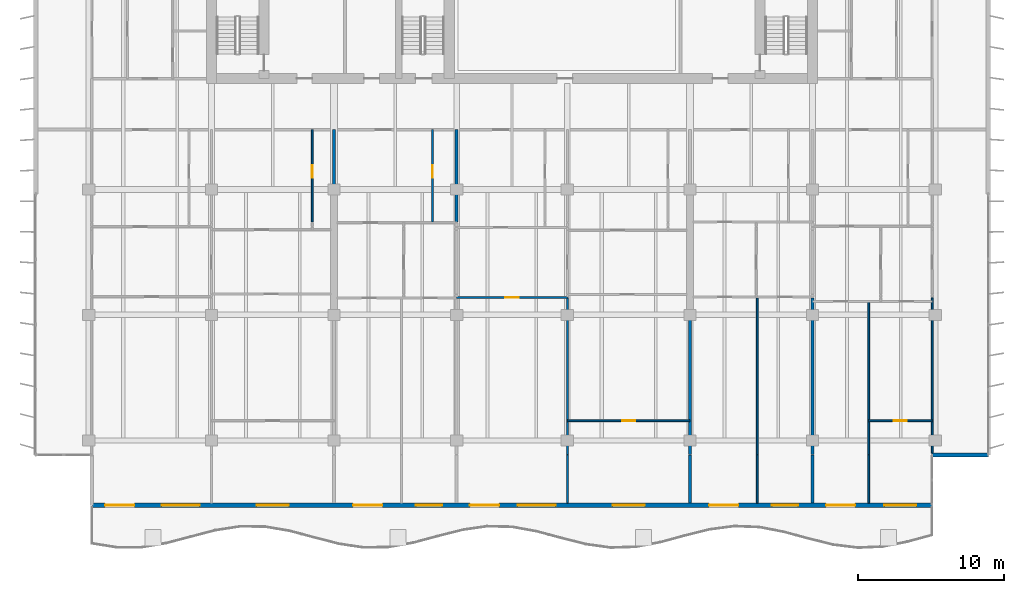
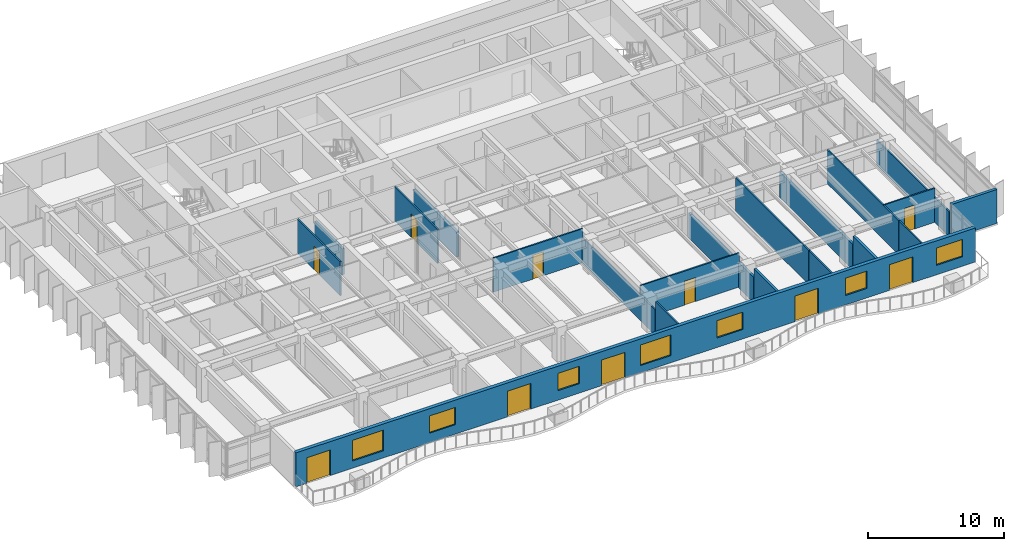
# One storey, part 9 of 19: 20 walls, 10 doors, 7 windows, 17 openings.
"""IFC4 building model written with IfcOpenShell, lengths in metres."""

from ifc_helpers import new_model, si_unit, direction, frame, frame_2d, origin, place, context, subcontext, project, spatial, rectangle, extrude, material, layer, layer_set, type_object, element, fill, save


model = new_model("IFC4")

# Units and contexts
model_context = context("Model", 3, precision=1e-05, world=origin(), true_north=direction((0.0, 1.0)))
body_context = subcontext(model_context, "Body", "Model", "MODEL_VIEW")
ifc_project = project(units=[si_unit("LENGTHUNIT", "METRE"), si_unit("AREAUNIT", "SQUARE_METRE"), si_unit("VOLUMEUNIT", "CUBIC_METRE"), si_unit("PLANEANGLEUNIT", "RADIAN"), si_unit("MASSUNIT", "GRAM", prefix="KILO")], contexts=[model_context])

# Site, building, storey
site_placement = place(None, origin())
site = spatial("IfcSite", under=ifc_project, at=site_placement, CompositionType="ELEMENT")
building_placement = place(site_placement, origin())
building = spatial("IfcBuilding", under=site, at=building_placement, Name="Caelmar Bay Residences", CompositionType="ELEMENT")
storey_placement = place(building_placement, frame((0.0, 0.0, 195.0)))
storey = spatial("IfcBuildingStorey", under=building, at=storey_placement, Name="L54", CompositionType="ELEMENT", Elevation=195.0)

# Wall
ifc_material_1 = material(Name="Precast concrete f'c 40 MPa (6,000 psi)", Category="concrete")
ifc_layer_1 = layer(ifc_material_1, 0.25)
ifc_layer_set_1 = layer_set([ifc_layer_1], Name="Precast concrete f'c 40 MPa (6,000 psi)")
wall_type_1 = type_object("IfcWallType", Name="W-EXT-250", PredefinedType="ELEMENTEDWALL", material=ifc_layer_set_1)
wall_1_placement = place(storey_placement, frame((67.699951171875, 11.199951171875, 0.0), z_axis=(0.0, 0.0, 1.0), x_axis=(1.0, 0.0, 0.0)))
element("IfcWall", 1, at=wall_1_placement, inside=storey, type_object=wall_type_1, Name="L54 SE Notch Return Wall", PredefinedType="ELEMENTEDWALL", context=body_context, shape_type="SweptSolid", body=[
    extrude(rectangle(XDim=3.85009765625, YDim=0.25, at=frame_2d((1.925048828125, 0.0))), origin(), (0.0, 0.0, 1.0), 3.050048828125),
])

# Wall, openings, doors, windows
ifc_layer_2 = layer(ifc_material_1, 0.300048828125)
ifc_layer_set_2 = layer_set([ifc_layer_2], Name="Precast concrete f'c 40 MPa (6,000 psi)")
wall_type_2 = type_object("IfcWallType", Name="W-EXT-300", PredefinedType="STANDARD", material=ifc_layer_set_2)
wall_2_placement = place(storey_placement, frame((67.699951171875, 7.75, 0.0), z_axis=(0.0, 0.0, 1.0), x_axis=(-1.0, 0.0, 0.0)))
wall_2 = element("IfcWall", 2, at=wall_2_placement, inside=storey, type_object=wall_type_2, Name="L54 South Bayfront Exterior Wall", PredefinedType="STANDARD", context=body_context, shape_type="SweptSolid", body=[
    extrude(rectangle(XDim=57.599853515625, YDim=0.300048828125, at=frame_2d((28.7998046875, 0.0))), origin(), (0.0, 0.0, 1.0), 3.050048828125),
])
opening_1_placement = place(wall_2_placement, frame((54.68994140625, 0.0, 0.0)))
opening_1 = element("IfcOpeningElement", 3, at=opening_1_placement, cuts=wall_2, Name="Opening L54-BD01", PredefinedType="OPENING", context=body_context, shape_type="SweptSolid", body=[
    extrude(rectangle(XDim=2.0, YDim=2.300048828125, at=frame_2d((1.0, 1.14990234375))), frame((0.0, 0.159912109375, 0.0), z_axis=(0.0, -1.0, 0.0), x_axis=(1.0, 0.0, 0.0)), (0.0, 0.0, 1.0), 0.320068359375),
])
opening_2_placement = place(wall_2_placement, frame((50.2099609375, 0.0, 0.64990234375)))
opening_2 = element("IfcOpeningElement", 4, at=opening_2_placement, cuts=wall_2, Name="Opening WN3", PredefinedType="OPENING", context=body_context, shape_type="SweptSolid", body=[
    extrude(rectangle(XDim=2.60009765625, YDim=1.85009765625, at=frame_2d((1.300048828125, 0.925048828125))), frame((0.0, 0.159912109375, 0.0), z_axis=(0.0, -1.0, 0.0), x_axis=(1.0, 0.0, 0.0)), (0.0, 0.0, 1.0), 0.320068359375),
])
opening_3_placement = place(wall_2_placement, frame((44.10009765625, 0.0, 0.85009765625)))
opening_3 = element("IfcOpeningElement", 5, at=opening_3_placement, cuts=wall_2, Name="Opening WN2", PredefinedType="OPENING", context=body_context, shape_type="SweptSolid", body=[
    extrude(rectangle(XDim=2.199951171875, YDim=1.550048828125, at=frame_2d((1.10009765625, 0.77490234375))), frame((0.0, 0.159912109375, 0.0), z_axis=(0.0, -1.0, 0.0), x_axis=(1.0, 0.0, 0.0)), (0.0, 0.0, 1.0), 0.320068359375),
])
opening_4_placement = place(wall_2_placement, frame((37.68994140625, 0.0, 0.0)))
opening_4 = element("IfcOpeningElement", 6, at=opening_4_placement, cuts=wall_2, Name="Opening L54-BD02", PredefinedType="OPENING", context=body_context, shape_type="SweptSolid", body=[
    extrude(rectangle(XDim=2.0, YDim=2.300048828125, at=frame_2d((1.0, 1.14990234375))), frame((0.0, 0.159912109375, 0.0), z_axis=(0.0, -1.0, 0.0), x_axis=(1.0, 0.0, 0.0)), (0.0, 0.0, 1.0), 0.320068359375),
])
opening_5_placement = place(wall_2_placement, frame((33.590087890625, 0.0, 0.85009765625)))
opening_5 = element("IfcOpeningElement", 7, at=opening_5_placement, cuts=wall_2, Name="Opening WN1", PredefinedType="OPENING", context=body_context, shape_type="SweptSolid", body=[
    extrude(rectangle(XDim=1.800048828125, YDim=1.550048828125, at=frame_2d((0.89990234375, 0.77490234375))), frame((0.0, 0.159912109375, 0.0), z_axis=(0.0, -1.0, 0.0), x_axis=(1.0, 0.0, 0.0)), (0.0, 0.0, 1.0), 0.320068359375),
])
opening_6_placement = place(wall_2_placement, frame((29.68994140625, 0.0, 0.0)))
opening_6 = element("IfcOpeningElement", 8, at=opening_6_placement, cuts=wall_2, Name="Opening L54-BD03", PredefinedType="OPENING", context=body_context, shape_type="SweptSolid", body=[
    extrude(rectangle(XDim=2.0, YDim=2.300048828125, at=frame_2d((1.0, 1.14990234375))), frame((0.0, 0.159912109375, 0.0), z_axis=(0.0, -1.0, 0.0), x_axis=(1.0, 0.0, 0.0)), (0.0, 0.0, 1.0), 0.320068359375),
])
opening_7_placement = place(wall_2_placement, frame((25.81005859375, 0.0, 0.64990234375)))
opening_7 = element("IfcOpeningElement", 9, at=opening_7_placement, cuts=wall_2, Name="Opening WN3", PredefinedType="OPENING", context=body_context, shape_type="SweptSolid", body=[
    extrude(rectangle(XDim=2.60009765625, YDim=1.85009765625, at=frame_2d((1.300048828125, 0.925048828125))), frame((0.0, 0.159912109375, 0.0), z_axis=(0.0, -1.0, 0.0), x_axis=(1.0, 0.0, 0.0)), (0.0, 0.0, 1.0), 0.320068359375),
])
opening_8_placement = place(wall_2_placement, frame((19.699951171875, 0.0, 0.85009765625)))
opening_8 = element("IfcOpeningElement", 10, at=opening_8_placement, cuts=wall_2, Name="Opening WN2", PredefinedType="OPENING", context=body_context, shape_type="SweptSolid", body=[
    extrude(rectangle(XDim=2.199951171875, YDim=1.550048828125, at=frame_2d((1.10009765625, 0.77490234375))), frame((0.0, 0.159912109375, 0.0), z_axis=(0.0, -1.0, 0.0), x_axis=(1.0, 0.0, 0.0)), (0.0, 0.0, 1.0), 0.320068359375),
])
opening_9_placement = place(wall_2_placement, frame((13.2900390625, 0.0, 0.0)))
opening_9 = element("IfcOpeningElement", 11, at=opening_9_placement, cuts=wall_2, Name="Opening L54-BD04", PredefinedType="OPENING", context=body_context, shape_type="SweptSolid", body=[
    extrude(rectangle(XDim=2.0, YDim=2.300048828125, at=frame_2d((1.0, 1.14990234375))), frame((0.0, 0.159912109375, 0.0), z_axis=(0.0, -1.0, 0.0), x_axis=(1.0, 0.0, 0.0)), (0.0, 0.0, 1.0), 0.320068359375),
])
opening_10_placement = place(wall_2_placement, frame((9.18994140625, 0.0, 0.85009765625)))
opening_10 = element("IfcOpeningElement", 12, at=opening_10_placement, cuts=wall_2, Name="Opening WN1", PredefinedType="OPENING", context=body_context, shape_type="SweptSolid", body=[
    extrude(rectangle(XDim=1.800048828125, YDim=1.550048828125, at=frame_2d((0.89990234375, 0.77490234375))), frame((0.0, 0.159912109375, 0.0), z_axis=(0.0, -1.0, 0.0), x_axis=(1.0, 0.0, 0.0)), (0.0, 0.0, 1.0), 0.320068359375),
])
opening_11_placement = place(wall_2_placement, frame((5.27294921875, 0.0, 0.0)))
opening_11 = element("IfcOpeningElement", 13, at=opening_11_placement, cuts=wall_2, Name="Opening L54-BD05", PredefinedType="OPENING", context=body_context, shape_type="SweptSolid", body=[
    extrude(rectangle(XDim=2.0, YDim=2.300048828125, at=frame_2d((1.0, 1.14990234375))), frame((0.0, 0.159912109375, 0.0), z_axis=(0.0, -1.0, 0.0), x_axis=(1.0, 0.0, 0.0)), (0.0, 0.0, 1.0), 0.320068359375),
])
opening_12_placement = place(wall_2_placement, frame((1.072998046875, 0.0, 0.85009765625)))
opening_12 = element("IfcOpeningElement", 14, at=opening_12_placement, cuts=wall_2, Name="Opening WN2", PredefinedType="OPENING", context=body_context, shape_type="SweptSolid", body=[
    extrude(rectangle(XDim=2.199951171875, YDim=1.550048828125, at=frame_2d((1.10009765625, 0.77490234375))), frame((0.0, 0.159912109375, 0.0), z_axis=(0.0, -1.0, 0.0), x_axis=(1.0, 0.0, 0.0)), (0.0, 0.0, 1.0), 0.320068359375),
])
ifc_material_2 = material(Name="Anodised bronze thermally broken sliding glass door", Category="glass")
ifc_layer_3 = layer(ifc_material_2, 0.050048828125)
ifc_layer_set_3 = layer_set([ifc_layer_3], Name="Anodised bronze thermally broken sliding glass door")
door_type_1 = type_object("IfcDoorType", Name="D-BAL-2000", OperationType="DOUBLE_DOOR_SLIDING", PredefinedType="DOOR", material=ifc_layer_set_3)
door_1_placement = place(opening_1_placement, origin())
door_1 = element("IfcDoor", 15, at=door_1_placement, inside=storey, type_object=door_type_1, Name="L54 Residence 01 Penthouse Living Salon Balcony Door", OperationType="DOUBLE_DOOR_SLIDING", OverallHeight=2.300048828125, OverallWidth=2.0, PredefinedType="DOOR", context=body_context, shape_type="SweptSolid", body=[
    extrude(rectangle(XDim=2.0, YDim=2.300048828125, at=frame_2d((1.0, 1.14990234375))), frame((0.0, 0.02490234375, 0.0), z_axis=(0.0, -1.0, 0.0), x_axis=(1.0, 0.0, 0.0)), (0.0, 0.0, 1.0), 0.050048828125),
])
fill(opening_1, door_1)
door_2_placement = place(opening_4_placement, origin())
door_2 = element("IfcDoor", 16, at=door_2_placement, inside=storey, type_object=door_type_1, Name="L54 Residence 02 Living Room Balcony Door", OperationType="DOUBLE_DOOR_SLIDING", OverallHeight=2.300048828125, OverallWidth=2.0, PredefinedType="DOOR", context=body_context, shape_type="SweptSolid", body=[
    extrude(rectangle(XDim=2.0, YDim=2.300048828125, at=frame_2d((1.0, 1.14990234375))), frame((0.0, 0.02490234375, 0.0), z_axis=(0.0, -1.0, 0.0), x_axis=(1.0, 0.0, 0.0)), (0.0, 0.0, 1.0), 0.050048828125),
])
fill(opening_4, door_2)
door_3_placement = place(opening_6_placement, origin())
door_3 = element("IfcDoor", 17, at=door_3_placement, inside=storey, type_object=door_type_1, Name="L54 Residence 03 Penthouse Living Salon Balcony Door", OperationType="DOUBLE_DOOR_SLIDING", OverallHeight=2.300048828125, OverallWidth=2.0, PredefinedType="DOOR", context=body_context, shape_type="SweptSolid", body=[
    extrude(rectangle(XDim=2.0, YDim=2.300048828125, at=frame_2d((1.0, 1.14990234375))), frame((0.0, 0.02490234375, 0.0), z_axis=(0.0, -1.0, 0.0), x_axis=(1.0, 0.0, 0.0)), (0.0, 0.0, 1.0), 0.050048828125),
])
fill(opening_6, door_3)
door_4_placement = place(opening_9_placement, origin())
door_4 = element("IfcDoor", 18, at=door_4_placement, inside=storey, type_object=door_type_1, Name="L54 Residence 04 Living Room Balcony Door", OperationType="DOUBLE_DOOR_SLIDING", OverallHeight=2.300048828125, OverallWidth=2.0, PredefinedType="DOOR", context=body_context, shape_type="SweptSolid", body=[
    extrude(rectangle(XDim=2.0, YDim=2.300048828125, at=frame_2d((1.0, 1.14990234375))), frame((0.0, 0.02490234375, 0.0), z_axis=(0.0, -1.0, 0.0), x_axis=(1.0, 0.0, 0.0)), (0.0, 0.0, 1.0), 0.050048828125),
])
fill(opening_9, door_4)
door_5_placement = place(opening_11_placement, origin())
door_5 = element("IfcDoor", 19, at=door_5_placement, inside=storey, type_object=door_type_1, Name="L54 Residence 05 Living Room Balcony Door", OperationType="DOUBLE_DOOR_SLIDING", OverallHeight=2.300048828125, OverallWidth=2.0, PredefinedType="DOOR", context=body_context, shape_type="SweptSolid", body=[
    extrude(rectangle(XDim=2.0, YDim=2.300048828125, at=frame_2d((1.0, 1.14990234375))), frame((0.0, 0.02490234375, 0.0), z_axis=(0.0, -1.0, 0.0), x_axis=(1.0, 0.0, 0.0)), (0.0, 0.0, 1.0), 0.050048828125),
])
fill(opening_11, door_5)
ifc_material_3 = material(Name="Bronze aluminium frame with laminated low-E glass", Category="aluminium")
ifc_layer_4 = layer(ifc_material_3, 0.06005859375)
ifc_layer_set_4 = layer_set([ifc_layer_4], Name="Bronze aluminium frame with laminated low-E glass")
window_type_1 = type_object("IfcWindowType", Name="WIN-BR-1800", PartitioningType="SINGLE_PANEL", PredefinedType="WINDOW", material=ifc_layer_set_4)
window_1_placement = place(opening_5_placement, origin())
window_1 = element("IfcWindow", 20, at=window_1_placement, inside=storey, type_object=window_type_1, Name="L54 Residence 02 Primary Bedroom Window", OverallHeight=1.550048828125, OverallWidth=1.800048828125, PartitioningType="SINGLE_PANEL", PredefinedType="WINDOW", context=body_context, shape_type="SweptSolid", body=[
    extrude(rectangle(XDim=1.800048828125, YDim=1.550048828125, at=frame_2d((0.89990234375, 0.77490234375))), frame((0.0, 0.030029296875, 0.0), z_axis=(0.0, -1.0, 0.0), x_axis=(1.0, 0.0, 0.0)), (0.0, 0.0, 1.0), 0.06005859375),
])
fill(opening_5, window_1)
window_2_placement = place(opening_10_placement, origin())
window_2 = element("IfcWindow", 21, at=window_2_placement, inside=storey, type_object=window_type_1, Name="L54 Residence 04 Primary Bedroom Window", OverallHeight=1.550048828125, OverallWidth=1.800048828125, PartitioningType="SINGLE_PANEL", PredefinedType="WINDOW", context=body_context, shape_type="SweptSolid", body=[
    extrude(rectangle(XDim=1.800048828125, YDim=1.550048828125, at=frame_2d((0.89990234375, 0.77490234375))), frame((0.0, 0.030029296875, 0.0), z_axis=(0.0, -1.0, 0.0), x_axis=(1.0, 0.0, 0.0)), (0.0, 0.0, 1.0), 0.06005859375),
])
fill(opening_10, window_2)
ifc_layer_5 = layer(ifc_material_3, 0.06005859375)
ifc_layer_set_5 = layer_set([ifc_layer_5], Name="Bronze aluminium frame with laminated low-E glass")
window_type_2 = type_object("IfcWindowType", Name="WIN-BR-2200", PartitioningType="SINGLE_PANEL", PredefinedType="WINDOW", material=ifc_layer_set_5)
window_3_placement = place(opening_3_placement, origin())
window_3 = element("IfcWindow", 22, at=window_3_placement, inside=storey, type_object=window_type_2, Name="L54 Residence 01 Primary Bedroom 1 Window", OverallHeight=1.550048828125, OverallWidth=2.199951171875, PartitioningType="SINGLE_PANEL", PredefinedType="WINDOW", context=body_context, shape_type="SweptSolid", body=[
    extrude(rectangle(XDim=2.199951171875, YDim=1.550048828125, at=frame_2d((1.10009765625, 0.77490234375))), frame((0.0, 0.030029296875, 0.0), z_axis=(0.0, -1.0, 0.0), x_axis=(1.0, 0.0, 0.0)), (0.0, 0.0, 1.0), 0.06005859375),
])
fill(opening_3, window_3)
window_4_placement = place(opening_8_placement, origin())
window_4 = element("IfcWindow", 23, at=window_4_placement, inside=storey, type_object=window_type_2, Name="L54 Residence 03 Primary Bedroom 1 Window", OverallHeight=1.550048828125, OverallWidth=2.199951171875, PartitioningType="SINGLE_PANEL", PredefinedType="WINDOW", context=body_context, shape_type="SweptSolid", body=[
    extrude(rectangle(XDim=2.199951171875, YDim=1.550048828125, at=frame_2d((1.10009765625, 0.77490234375))), frame((0.0, 0.030029296875, 0.0), z_axis=(0.0, -1.0, 0.0), x_axis=(1.0, 0.0, 0.0)), (0.0, 0.0, 1.0), 0.06005859375),
])
fill(opening_8, window_4)
window_5_placement = place(opening_12_placement, origin())
window_5 = element("IfcWindow", 24, at=window_5_placement, inside=storey, type_object=window_type_2, Name="L54 Residence 05 Primary Bedroom Window", OverallHeight=1.550048828125, OverallWidth=2.199951171875, PartitioningType="SINGLE_PANEL", PredefinedType="WINDOW", context=body_context, shape_type="SweptSolid", body=[
    extrude(rectangle(XDim=2.199951171875, YDim=1.550048828125, at=frame_2d((1.10009765625, 0.77490234375))), frame((0.0, 0.030029296875, 0.0), z_axis=(0.0, -1.0, 0.0), x_axis=(1.0, 0.0, 0.0)), (0.0, 0.0, 1.0), 0.06005859375),
])
fill(opening_12, window_5)
ifc_layer_6 = layer(ifc_material_3, 0.06005859375)
ifc_layer_set_6 = layer_set([ifc_layer_6], Name="Bronze aluminium frame with laminated low-E glass")
window_type_3 = type_object("IfcWindowType", Name="WIN-LIV-2600", PartitioningType="SINGLE_PANEL", PredefinedType="WINDOW", material=ifc_layer_set_6)
window_6_placement = place(opening_2_placement, origin())
window_6 = element("IfcWindow", 25, at=window_6_placement, inside=storey, type_object=window_type_3, Name="L54 Residence 01 Penthouse Living Salon Panoramic Window", OverallHeight=1.85009765625, OverallWidth=2.60009765625, PartitioningType="SINGLE_PANEL", PredefinedType="WINDOW", context=body_context, shape_type="SweptSolid", body=[
    extrude(rectangle(XDim=2.60009765625, YDim=1.85009765625, at=frame_2d((1.300048828125, 0.925048828125))), frame((0.0, 0.030029296875, 0.0), z_axis=(0.0, -1.0, 0.0), x_axis=(1.0, 0.0, 0.0)), (0.0, 0.0, 1.0), 0.06005859375),
])
fill(opening_2, window_6)
window_7_placement = place(opening_7_placement, origin())
window_7 = element("IfcWindow", 26, at=window_7_placement, inside=storey, type_object=window_type_3, Name="L54 Residence 03 Penthouse Living Salon Panoramic Window", OverallHeight=1.85009765625, OverallWidth=2.60009765625, PartitioningType="SINGLE_PANEL", PredefinedType="WINDOW", context=body_context, shape_type="SweptSolid", body=[
    extrude(rectangle(XDim=2.60009765625, YDim=1.85009765625, at=frame_2d((1.300048828125, 0.925048828125))), frame((0.0, 0.030029296875, 0.0), z_axis=(0.0, -1.0, 0.0), x_axis=(1.0, 0.0, 0.0)), (0.0, 0.0, 1.0), 0.06005859375),
])
fill(opening_7, window_7)

# Wall, opening, door
ifc_material_4 = material(Name="Acoustic metal-stud gypsum partition 120 mm")
ifc_layer_7 = layer(ifc_material_4, 0.1201171875)
ifc_layer_set_7 = layer_set([ifc_layer_7], Name="Acoustic metal-stud gypsum partition 120 mm")
wall_type_3 = type_object("IfcWallType", Name="W-PRT-120", PredefinedType="PARTITIONING", material=ifc_layer_set_7)
wall_3_placement = place(storey_placement, frame((25.199951171875, 27.179931640625, 0.0), z_axis=(0.0, 0.0, 1.0), x_axis=(0.0, 1.0, 0.0)))
wall_3 = element("IfcWall", 27, at=wall_3_placement, inside=storey, type_object=wall_type_3, Name="L54 Partition Wall V024", PredefinedType="PARTITIONING", context=body_context, shape_type="SweptSolid", body=[
    extrude(rectangle(XDim=6.320068359375, YDim=0.1201171875, at=frame_2d((3.16015625, 0.0))), origin(), (0.0, 0.0, 1.0), 3.050048828125),
])
opening_13_placement = place(wall_3_placement, frame((3.034912109375, 0.0, 0.0)))
opening_13 = element("IfcOpeningElement", 28, at=opening_13_placement, cuts=wall_3, Name="Opening D-L54-126", PredefinedType="OPENING", context=body_context, shape_type="SweptSolid", body=[
    extrude(rectangle(XDim=0.85009765625, YDim=2.10009765625, at=frame_2d((0.425048828125, 1.050048828125))), frame((0.0, 0.070068359375, 0.0), z_axis=(0.0, -1.0, 0.0), x_axis=(1.0, 0.0, 0.0)), (0.0, 0.0, 1.0), 0.14013671875),
])
ifc_material_5 = material(Name="Solid walnut timber interior door leaf and frame", Category="wood")
ifc_layer_8 = layer(ifc_material_5, 0.050048828125)
ifc_layer_set_8 = layer_set([ifc_layer_8], Name="Solid walnut timber interior door leaf and frame")
door_type_2 = type_object("IfcDoorType", Name="D-BATH-850", OperationType="NOTDEFINED", PredefinedType="DOOR", material=ifc_layer_set_8)
door_6_placement = place(opening_13_placement, origin())
door_6 = element("IfcDoor", 29, at=door_6_placement, inside=storey, type_object=door_type_2, Name="L54 Residence 01 En-Suite Bathroom 1 Door", OperationType="SINGLE_SWING_RIGHT", OverallHeight=2.10009765625, OverallWidth=0.85009765625, PredefinedType="DOOR", context=body_context, shape_type="SweptSolid", body=[
    extrude(rectangle(XDim=0.85009765625, YDim=2.10009765625, at=frame_2d((0.425048828125, 1.050048828125))), frame((0.0, 0.02490234375, 0.0), z_axis=(0.0, -1.0, 0.0), x_axis=(1.0, 0.0, 0.0)), (0.0, 0.0, 1.0), 0.050048828125),
])
fill(opening_13, door_6)

wall_4_placement = place(storey_placement, frame((33.449951171875, 27.179931640625, 0.0), z_axis=(0.0, 0.0, 1.0), x_axis=(0.0, 1.0, 0.0)))
wall_4 = element("IfcWall", 30, at=wall_4_placement, inside=storey, type_object=wall_type_3, Name="L54 Partition Wall V037", PredefinedType="PARTITIONING", context=body_context, shape_type="SweptSolid", body=[
    extrude(rectangle(XDim=6.320068359375, YDim=0.1201171875, at=frame_2d((3.16015625, 0.0))), origin(), (0.0, 0.0, 1.0), 3.050048828125),
])
opening_14_placement = place(wall_4_placement, frame((3.034912109375, 0.0, 0.0)))
opening_14 = element("IfcOpeningElement", 31, at=opening_14_placement, cuts=wall_4, Name="Opening D-L54-130", PredefinedType="OPENING", context=body_context, shape_type="SweptSolid", body=[
    extrude(rectangle(XDim=0.85009765625, YDim=2.10009765625, at=frame_2d((0.425048828125, 1.050048828125))), frame((0.0, 0.070068359375, 0.0), z_axis=(0.0, -1.0, 0.0), x_axis=(1.0, 0.0, 0.0)), (0.0, 0.0, 1.0), 0.14013671875),
])
door_7_placement = place(opening_14_placement, origin())
door_7 = element("IfcDoor", 32, at=door_7_placement, inside=storey, type_object=door_type_2, Name="L54 Residence 02 Bathroom Door", OperationType="SINGLE_SWING_RIGHT", OverallHeight=2.10009765625, OverallWidth=0.85009765625, PredefinedType="DOOR", context=body_context, shape_type="SweptSolid", body=[
    extrude(rectangle(XDim=0.85009765625, YDim=2.10009765625, at=frame_2d((0.425048828125, 1.050048828125))), frame((0.0, 0.02490234375, 0.0), z_axis=(0.0, -1.0, 0.0), x_axis=(1.0, 0.0, 0.0)), (0.0, 0.0, 1.0), 0.050048828125),
])
fill(opening_14, door_7)

# Walls
wall_5_placement = place(storey_placement, frame((42.699951171875, 7.89501953125, 0.0), z_axis=(0.0, 0.0, 1.0), x_axis=(0.0, 1.0, 0.0)))
element("IfcWall", 33, at=wall_5_placement, inside=storey, type_object=wall_type_3, Name="L54 Partition Wall V049", PredefinedType="PARTITIONING", context=body_context, shape_type="SweptSolid", body=[
    extrude(rectangle(XDim=3.304931640625, YDim=0.1201171875, at=frame_2d((1.65234375, 0.0))), origin(), (0.0, 0.0, 1.0), 3.050048828125),
])
wall_6_placement = place(storey_placement, frame((42.699951171875, 11.239990234375, 0.0), z_axis=(0.0, 0.0, 1.0), x_axis=(0.0, 1.0, 0.0)))
element("IfcWall", 34, at=wall_6_placement, inside=storey, type_object=wall_type_3, Name="L54 Partition Wall V050", PredefinedType="PARTITIONING", context=body_context, shape_type="SweptSolid", body=[
    extrude(rectangle(XDim=10.72998046875, YDim=0.1201171875, at=frame_2d((5.364990234375, 0.0))), origin(), (0.0, 0.0, 1.0), 2.262939453125),
])
wall_7_placement = place(storey_placement, frame((55.719970703125, 7.89501953125, 0.0), z_axis=(0.0, 0.0, 1.0), x_axis=(0.0, 1.0, 0.0)))
element("IfcWall", 35, at=wall_7_placement, inside=storey, type_object=wall_type_3, Name="L54 Partition Wall V070", PredefinedType="PARTITIONING", context=body_context, shape_type="SweptSolid", body=[
    extrude(rectangle(XDim=3.304931640625, YDim=0.1201171875, at=frame_2d((1.65234375, 0.0))), origin(), (0.0, 0.0, 1.0), 3.050048828125),
])
wall_8_placement = place(storey_placement, frame((55.719970703125, 11.239990234375, 0.0), z_axis=(0.0, 0.0, 1.0), x_axis=(0.0, 1.0, 0.0)))
element("IfcWall", 36, at=wall_8_placement, inside=storey, type_object=wall_type_3, Name="L54 Partition Wall V071", PredefinedType="PARTITIONING", context=body_context, shape_type="SweptSolid", body=[
    extrude(rectangle(XDim=10.72998046875, YDim=0.1201171875, at=frame_2d((5.364990234375, 0.0))), origin(), (0.0, 0.0, 1.0), 3.050048828125),
])
wall_9_placement = place(storey_placement, frame((63.35400390625, 7.89501953125, 0.0), z_axis=(0.0, 0.0, 1.0), x_axis=(0.0, 1.0, 0.0)))
element("IfcWall", 37, at=wall_9_placement, inside=storey, type_object=wall_type_3, Name="L54 Partition Wall V082", PredefinedType="PARTITIONING", context=body_context, shape_type="SweptSolid", body=[
    extrude(rectangle(XDim=3.304931640625, YDim=0.1201171875, at=frame_2d((1.65234375, 0.0))), origin(), (0.0, 0.0, 1.0), 3.050048828125),
])
wall_10_placement = place(storey_placement, frame((63.35400390625, 11.239990234375, 0.0), z_axis=(0.0, 0.0, 1.0), x_axis=(0.0, 1.0, 0.0)))
element("IfcWall", 38, at=wall_10_placement, inside=storey, type_object=wall_type_3, Name="L54 Partition Wall V083", PredefinedType="PARTITIONING", context=body_context, shape_type="SweptSolid", body=[
    extrude(rectangle(XDim=10.489990234375, YDim=0.1201171875, at=frame_2d((5.2451171875, 0.0))), origin(), (0.0, 0.0, 1.0), 3.050048828125),
])
wall_11_placement = place(storey_placement, frame((67.699951171875, 11.320068359375, 0.0), z_axis=(0.0, 0.0, 1.0), x_axis=(0.0, 1.0, 0.0)))
element("IfcWall", 39, at=wall_11_placement, inside=storey, type_object=wall_type_3, Name="L54 Partition Wall V091", PredefinedType="PARTITIONING", context=body_context, shape_type="SweptSolid", body=[
    extrude(rectangle(XDim=10.64990234375, YDim=0.1201171875, at=frame_2d((5.324951171875, 0.0))), origin(), (0.0, 0.0, 1.0), 2.262939453125),
])

# Wall, opening, door
wall_12_placement = place(storey_placement, frame((42.699951171875, 13.550048828125, 0.0), z_axis=(0.0, 0.0, 1.0), x_axis=(1.0, 0.0, 0.0)))
wall_12 = element("IfcWall", 40, at=wall_12_placement, inside=storey, type_object=wall_type_3, Name="L54 Partition Wall H101", PredefinedType="PARTITIONING", context=body_context, shape_type="SweptSolid", body=[
    extrude(rectangle(XDim=8.400146484375, YDim=0.1201171875, at=frame_2d((4.2001953125, 0.0))), origin(), (0.0, 0.0, 1.0), 3.050048828125),
])
opening_15_placement = place(wall_12_placement, frame((3.75, 0.0, 0.0)))
opening_15 = element("IfcOpeningElement", 41, at=opening_15_placement, cuts=wall_12, Name="Opening D-L54-143", PredefinedType="OPENING", context=body_context, shape_type="SweptSolid", body=[
    extrude(rectangle(XDim=0.89990234375, YDim=2.14990234375, at=frame_2d((0.449951171875, 1.074951171875))), frame((0.0, 0.070068359375, 0.0), z_axis=(0.0, -1.0, 0.0), x_axis=(1.0, 0.0, 0.0)), (0.0, 0.0, 1.0), 0.14013671875),
])
ifc_layer_9 = layer(ifc_material_5, 0.050048828125)
ifc_layer_set_9 = layer_set([ifc_layer_9], Name="Solid walnut timber interior door leaf and frame")
door_type_3 = type_object("IfcDoorType", Name="D-ROOM-900", OperationType="NOTDEFINED", PredefinedType="DOOR", material=ifc_layer_set_9)
door_8_placement = place(opening_15_placement, origin())
door_8 = element("IfcDoor", 42, at=door_8_placement, inside=storey, type_object=door_type_3, Name="L54 Residence 03 Primary Bedroom 1 Door", OperationType="SINGLE_SWING_LEFT", OverallHeight=2.14990234375, OverallWidth=0.89990234375, PredefinedType="DOOR", context=body_context, shape_type="SweptSolid", body=[
    extrude(rectangle(XDim=0.89990234375, YDim=2.14990234375, at=frame_2d((0.449951171875, 1.074951171875))), frame((0.0, 0.02490234375, 0.0), z_axis=(0.0, -1.0, 0.0), x_axis=(1.0, 0.0, 0.0)), (0.0, 0.0, 1.0), 0.050048828125),
])
fill(opening_15, door_8)

wall_13_placement = place(storey_placement, frame((63.35400390625, 13.550048828125, 0.0), z_axis=(0.0, 0.0, 1.0), x_axis=(1.0, 0.0, 0.0)))
wall_13 = element("IfcWall", 43, at=wall_13_placement, inside=storey, type_object=wall_type_3, Name="L54 Partition Wall H102", PredefinedType="PARTITIONING", context=body_context, shape_type="SweptSolid", body=[
    extrude(rectangle(XDim=4.345947265625, YDim=0.1201171875, at=frame_2d((2.1728515625, 0.0))), origin(), (0.0, 0.0, 1.0), 3.050048828125),
])
opening_16_placement = place(wall_13_placement, frame((1.722900390625, 0.0, 0.0)))
opening_16 = element("IfcOpeningElement", 44, at=opening_16_placement, cuts=wall_13, Name="Opening D-L54-156", PredefinedType="OPENING", context=body_context, shape_type="SweptSolid", body=[
    extrude(rectangle(XDim=0.89990234375, YDim=2.14990234375, at=frame_2d((0.449951171875, 1.074951171875))), frame((0.0, 0.070068359375, 0.0), z_axis=(0.0, -1.0, 0.0), x_axis=(1.0, 0.0, 0.0)), (0.0, 0.0, 1.0), 0.14013671875),
])
door_9_placement = place(opening_16_placement, origin())
door_9 = element("IfcDoor", 45, at=door_9_placement, inside=storey, type_object=door_type_3, Name="L54 Residence 05 Primary Bedroom Door", OperationType="SINGLE_SWING_RIGHT", OverallHeight=2.14990234375, OverallWidth=0.89990234375, PredefinedType="DOOR", context=body_context, shape_type="SweptSolid", body=[
    extrude(rectangle(XDim=0.89990234375, YDim=2.14990234375, at=frame_2d((0.449951171875, 1.074951171875))), frame((0.0, 0.02490234375, 0.0), z_axis=(0.0, -1.0, 0.0), x_axis=(1.0, 0.0, 0.0)), (0.0, 0.0, 1.0), 0.050048828125),
])
fill(opening_16, door_9)

wall_14_placement = place(storey_placement, frame((35.10498046875, 22.0, 0.0), z_axis=(0.0, 0.0, 1.0), x_axis=(1.0, 0.0, 0.0)))
wall_14 = element("IfcWall", 46, at=wall_14_placement, inside=storey, type_object=wall_type_3, Name="L54 Partition Wall H105", PredefinedType="PARTITIONING", context=body_context, shape_type="SweptSolid", body=[
    extrude(rectangle(XDim=7.594970703125, YDim=0.1201171875, at=frame_2d((3.79736328125, 0.0))), origin(), (0.0, 0.0, 1.0), 3.050048828125),
])
opening_17_placement = place(wall_14_placement, frame((3.347412109375, 0.0, 0.0)))
opening_17 = element("IfcOpeningElement", 47, at=opening_17_placement, cuts=wall_14, Name="Opening D-L54-138", PredefinedType="OPENING", context=body_context, shape_type="SweptSolid", body=[
    extrude(rectangle(XDim=0.89990234375, YDim=2.14990234375, at=frame_2d((0.449951171875, 1.074951171875))), frame((0.0, 0.070068359375, 0.0), z_axis=(0.0, -1.0, 0.0), x_axis=(1.0, 0.0, 0.0)), (0.0, 0.0, 1.0), 0.14013671875),
])
door_10_placement = place(opening_17_placement, origin())
door_10 = element("IfcDoor", 48, at=door_10_placement, inside=storey, type_object=door_type_3, Name="L54 Residence 03 Penthouse Living Salon Door", OperationType="SINGLE_SWING_RIGHT", OverallHeight=2.14990234375, OverallWidth=0.89990234375, PredefinedType="DOOR", context=body_context, shape_type="SweptSolid", body=[
    extrude(rectangle(XDim=0.89990234375, YDim=2.14990234375, at=frame_2d((0.449951171875, 1.074951171875))), frame((0.0, 0.02490234375, 0.0), z_axis=(0.0, -1.0, 0.0), x_axis=(1.0, 0.0, 0.0)), (0.0, 0.0, 1.0), 0.050048828125),
])
fill(opening_17, door_10)

# Walls
ifc_material_6 = material(Name="Acoustic twin-stud fire-rated inter-tenancy partition 200 mm")
ifc_layer_10 = layer(ifc_material_6, 0.199951171875)
ifc_layer_set_10 = layer_set([ifc_layer_10], Name="Acoustic twin-stud fire-rated inter-tenancy partition 200 mm")
wall_type_4 = type_object("IfcWallType", Name="W-PTY-200", PredefinedType="PARTITIONING", material=ifc_layer_set_10)
wall_15_placement = place(storey_placement, frame((26.699951171875, 29.405029296875, 0.0), z_axis=(0.0, 0.0, 1.0), x_axis=(0.0, 1.0, 0.0)))
element("IfcWall", 49, at=wall_15_placement, inside=storey, type_object=wall_type_4, Name="L54 Partition Wall V028", PredefinedType="PARTITIONING", context=body_context, shape_type="SweptSolid", body=[
    extrude(rectangle(XDim=4.094970703125, YDim=0.199951171875, at=frame_2d((2.04736328125, 0.0))), origin(), (0.0, 0.0, 1.0), 2.3349609375),
])
wall_16_placement = place(storey_placement, frame((35.10009765625, 27.179931640625, 0.0), z_axis=(0.0, 0.0, 1.0), x_axis=(0.0, 1.0, 0.0)))
element("IfcWall", 50, at=wall_16_placement, inside=storey, type_object=wall_type_4, Name="L54 Partition Wall V044", PredefinedType="PARTITIONING", context=body_context, shape_type="SweptSolid", body=[
    extrude(rectangle(XDim=6.320068359375, YDim=0.199951171875, at=frame_2d((3.16015625, 0.0))), origin(), (0.0, 0.0, 1.0), 2.262939453125),
])
wall_17_placement = place(storey_placement, frame((51.10009765625, 7.89501953125, 0.0), z_axis=(0.0, 0.0, 1.0), x_axis=(0.0, 1.0, 0.0)))
element("IfcWall", 51, at=wall_17_placement, inside=storey, type_object=wall_type_4, Name="L54 Partition Wall V062", PredefinedType="PARTITIONING", context=body_context, shape_type="SweptSolid", body=[
    extrude(rectangle(XDim=3.304931640625, YDim=0.199951171875, at=frame_2d((1.65234375, 0.0))), origin(), (0.0, 0.0, 1.0), 3.050048828125),
])
wall_18_placement = place(storey_placement, frame((51.10009765625, 11.239990234375, 0.0), z_axis=(0.0, 0.0, 1.0), x_axis=(0.0, 1.0, 0.0)))
element("IfcWall", 52, at=wall_18_placement, inside=storey, type_object=wall_type_4, Name="L54 Partition Wall V063", PredefinedType="PARTITIONING", context=body_context, shape_type="SweptSolid", body=[
    extrude(rectangle(XDim=9.554931640625, YDim=0.199951171875, at=frame_2d((4.77734375, 0.0))), origin(), (0.0, 0.0, 1.0), 2.262939453125),
])
wall_19_placement = place(storey_placement, frame((59.5, 7.89501953125, 0.0), z_axis=(0.0, 0.0, 1.0), x_axis=(0.0, 1.0, 0.0)))
element("IfcWall", 53, at=wall_19_placement, inside=storey, type_object=wall_type_4, Name="L54 Partition Wall V074", PredefinedType="PARTITIONING", context=body_context, shape_type="SweptSolid", body=[
    extrude(rectangle(XDim=3.304931640625, YDim=0.199951171875, at=frame_2d((1.65234375, 0.0))), origin(), (0.0, 0.0, 1.0), 3.050048828125),
])
wall_20_placement = place(storey_placement, frame((59.5, 11.239990234375, 0.0), z_axis=(0.0, 0.0, 1.0), x_axis=(0.0, 1.0, 0.0)))
element("IfcWall", 54, at=wall_20_placement, inside=storey, type_object=wall_type_4, Name="L54 Partition Wall V075", PredefinedType="PARTITIONING", context=body_context, shape_type="SweptSolid", body=[
    extrude(rectangle(XDim=10.72998046875, YDim=0.199951171875, at=frame_2d((5.364990234375, 0.0))), origin(), (0.0, 0.0, 1.0), 2.262939453125),
])

save(model, "model.ifc")
